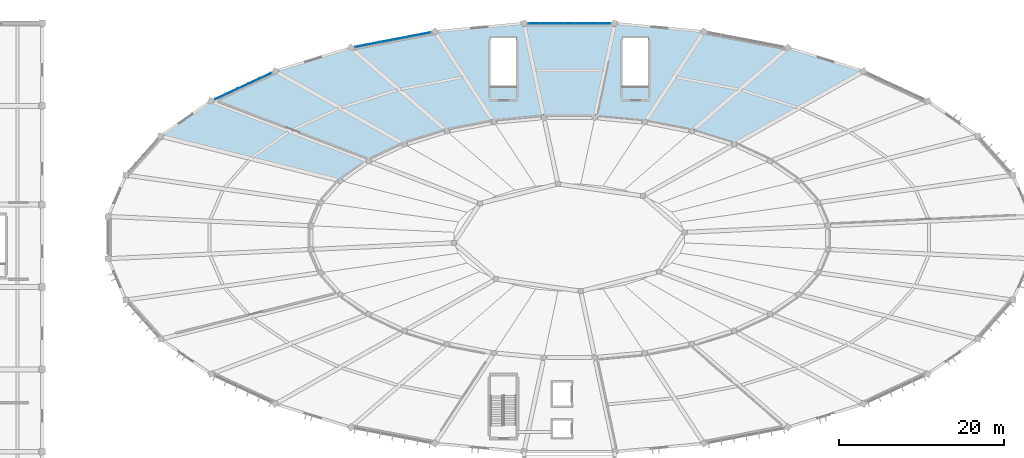
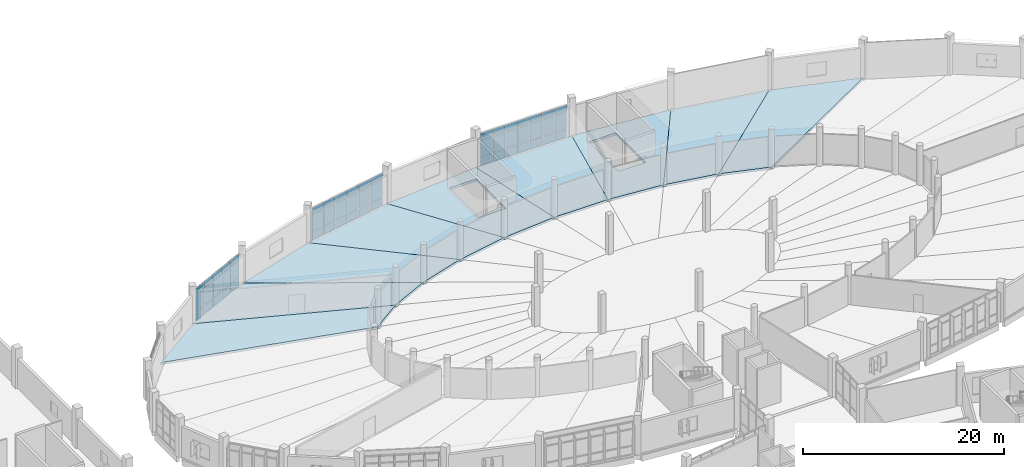
# One storey, part 108 of 179: 54 plates, 9 slabs, 3 elements without a shape of their own.
"""IFC4 building model written with IfcOpenShell, lengths in metres."""

from ifc_helpers import new_model, si_unit, direction, frame, origin, origin_2d, place, context, subcontext, project, spatial, polyline, rectangle, outline, extrude, material, layer, layer_set, type_object, element, aggregate, save


model = new_model("IFC4")

# Units and contexts
model_context = context("Model", 3, precision=1e-05, world=origin(), true_north=direction((0.0, 1.0)))
body_context = subcontext(model_context, "Body", "Model", "MODEL_VIEW")
ifc_project = project(units=[si_unit("LENGTHUNIT", "METRE"), si_unit("AREAUNIT", "SQUARE_METRE"), si_unit("VOLUMEUNIT", "CUBIC_METRE"), si_unit("PLANEANGLEUNIT", "RADIAN"), si_unit("MASSUNIT", "GRAM", prefix="KILO")], contexts=[model_context])

# Site, building, storey
site_placement = place(None, origin())
site = spatial("IfcSite", under=ifc_project, at=site_placement, CompositionType="ELEMENT")
building_placement = place(site_placement, origin())
building = spatial("IfcBuilding", under=site, at=building_placement, Name="Corvandel Quay Wholesale Market", CompositionType="ELEMENT")
storey_placement = place(building_placement, frame((0.0, 0.0, 6.0)))
storey = spatial("IfcBuildingStorey", under=building, at=storey_placement, Name="L01", CompositionType="ELEMENT", Elevation=6.0)

# Curtain wall, plates
ifc_material_1 = material(Name="Bronze anodised aluminium and low-E insulated glazing", Category="aluminium")
ifc_layer_1 = layer(ifc_material_1, 0.197998046875)
ifc_layer_set_1 = layer_set([ifc_layer_1], Name="Bronze anodised aluminium and low-E insulated glazing")
curtain_wall_type_1 = type_object("IfcCurtainWallType", Name="Stick Curtain Wall System CW14 H4260", PredefinedType="NOTDEFINED", material=ifc_layer_set_1)
curtain_wall_1_placement = place(storey_placement, origin())
curtain_wall_1 = element("IfcCurtainWall", 1, at=curtain_wall_1_placement, inside=storey, type_object=curtain_wall_type_1, Name="Curtain Wall CW-0097", PredefinedType="NOTDEFINED")
ifc_material_2 = material(Name="Solar-control low-E insulated glazing", Category="glass")
ifc_layer_2 = layer(ifc_material_2, 0.0400390625)
ifc_layer_set_2 = layer_set([ifc_layer_2], Name="Solar-control low-E insulated glazing")
plate_type_1 = type_object("IfcPlateType", Name="Ceramic Fritted Spandrel Panel PN03 40mm", PredefinedType="CURTAIN_PANEL", material=ifc_layer_set_2)
plate_1_placement = place(storey_placement, frame((118.26513671875, 142.0, 3.1298828125), z_axis=(0.0, 0.0, 1.0), x_axis=(1.0, 0.0, 0.0)))
plate_1 = element("IfcPlate", 2, at=plate_1_placement, type_object=plate_type_1, Name="Glazing Panel CW-0097-P00-2", PredefinedType="CURTAIN_PANEL", context=body_context, shape_type="SweptSolid", body=[
    extrude(rectangle(XDim=1.356689453125, YDim=0.0400390625, at=origin_2d()), origin(), (0.0, 0.0, 1.0), 0.7900390625),
])
plate_2_placement = place(storey_placement, frame((116.843505859375, 142.0, 3.1298828125), z_axis=(0.0, 0.0, 1.0), x_axis=(1.0, 0.0, 0.0)))
plate_2 = element("IfcPlate", 3, at=plate_2_placement, type_object=plate_type_1, Name="Glazing Panel CW-0097-P01-2", PredefinedType="CURTAIN_PANEL", context=body_context, shape_type="SweptSolid", body=[
    extrude(rectangle(XDim=1.356689453125, YDim=0.0400390625, at=origin_2d()), origin(), (0.0, 0.0, 1.0), 0.7900390625),
])
plate_3_placement = place(storey_placement, frame((115.421630859375, 142.0, 3.1298828125), z_axis=(0.0, 0.0, 1.0), x_axis=(1.0, 0.0, 0.0)))
plate_3 = element("IfcPlate", 4, at=plate_3_placement, type_object=plate_type_1, Name="Glazing Panel CW-0097-P02-2", PredefinedType="CURTAIN_PANEL", context=body_context, shape_type="SweptSolid", body=[
    extrude(rectangle(XDim=1.356689453125, YDim=0.0400390625, at=origin_2d()), origin(), (0.0, 0.0, 1.0), 0.7900390625),
])
plate_4_placement = place(storey_placement, frame((114.0, 142.0, 3.1298828125), z_axis=(0.0, 0.0, 1.0), x_axis=(1.0, 0.0, 0.0)))
plate_4 = element("IfcPlate", 5, at=plate_4_placement, type_object=plate_type_1, Name="Glazing Panel CW-0097-P03-2", PredefinedType="CURTAIN_PANEL", context=body_context, shape_type="SweptSolid", body=[
    extrude(rectangle(XDim=1.356689453125, YDim=0.0400390625, at=origin_2d()), origin(), (0.0, 0.0, 1.0), 0.7900390625),
])
plate_5_placement = place(storey_placement, frame((112.578369140625, 142.0, 3.1298828125), z_axis=(0.0, 0.0, 1.0), x_axis=(1.0, 0.0, 0.0)))
plate_5 = element("IfcPlate", 6, at=plate_5_placement, type_object=plate_type_1, Name="Glazing Panel CW-0097-P04-2", PredefinedType="CURTAIN_PANEL", context=body_context, shape_type="SweptSolid", body=[
    extrude(rectangle(XDim=1.356689453125, YDim=0.0400390625, at=origin_2d()), origin(), (0.0, 0.0, 1.0), 0.7900390625),
])
plate_6_placement = place(storey_placement, frame((111.156494140625, 142.0, 3.1298828125), z_axis=(0.0, 0.0, 1.0), x_axis=(1.0, 0.0, 0.0)))
plate_6 = element("IfcPlate", 7, at=plate_6_placement, type_object=plate_type_1, Name="Glazing Panel CW-0097-P05-2", PredefinedType="CURTAIN_PANEL", context=body_context, shape_type="SweptSolid", body=[
    extrude(rectangle(XDim=1.356689453125, YDim=0.0400390625, at=origin_2d()), origin(), (0.0, 0.0, 1.0), 0.7900390625),
])
plate_7_placement = place(storey_placement, frame((109.73486328125, 142.0, 3.1298828125), z_axis=(0.0, 0.0, 1.0), x_axis=(1.0, 0.0, 0.0)))
plate_7 = element("IfcPlate", 8, at=plate_7_placement, type_object=plate_type_1, Name="Glazing Panel CW-0097-P06-2", PredefinedType="CURTAIN_PANEL", context=body_context, shape_type="SweptSolid", body=[
    extrude(rectangle(XDim=1.356689453125, YDim=0.0400390625, at=origin_2d()), origin(), (0.0, 0.0, 1.0), 0.7900390625),
])

ifc_layer_3 = layer(ifc_material_1, 0.162109375)
ifc_layer_set_3 = layer_set([ifc_layer_3], Name="Bronze anodised aluminium and low-E insulated glazing")
curtain_wall_type_2 = type_object("IfcCurtainWallType", Name="Stick Curtain Wall System CW16 H4440", PredefinedType="NOTDEFINED", material=ifc_layer_set_3)
curtain_wall_2_placement = place(storey_placement, origin())
curtain_wall_2 = element("IfcCurtainWall", 9, at=curtain_wall_2_placement, inside=storey, type_object=curtain_wall_type_2, Name="Curtain Wall CW-0099", PredefinedType="NOTDEFINED")
plate_8_placement = place(storey_placement, frame((96.373779296875, 140.752685546875, 3.1298828125), z_axis=(0.0, 0.0, 1.0), x_axis=(0.981991701121, 0.188924055984, 0.0)))
plate_8 = element("IfcPlate", 10, at=plate_8_placement, type_object=plate_type_1, Name="Glazing Panel CW-0099-P00-2", PredefinedType="CURTAIN_PANEL", context=body_context, shape_type="SweptSolid", body=[
    extrude(rectangle(XDim=1.484619140625, YDim=0.0400390625, at=origin_2d()), origin(), (0.0, 0.0, 1.0), 0.7900390625),
])
plate_9_placement = place(storey_placement, frame((94.85205078125, 140.4599609375, 3.1298828125), z_axis=(0.0, 0.0, 1.0), x_axis=(0.981991701121, 0.188924055984, 0.0)))
plate_9 = element("IfcPlate", 11, at=plate_9_placement, type_object=plate_type_1, Name="Glazing Panel CW-0099-P01-2", PredefinedType="CURTAIN_PANEL", context=body_context, shape_type="SweptSolid", body=[
    extrude(rectangle(XDim=1.484619140625, YDim=0.0400390625, at=origin_2d()), origin(), (0.0, 0.0, 1.0), 0.7900390625),
])
plate_10_placement = place(storey_placement, frame((93.330322265625, 140.167236328125, 3.1298828125), z_axis=(0.0, 0.0, 1.0), x_axis=(0.981991701121, 0.188924055984, 0.0)))
plate_10 = element("IfcPlate", 12, at=plate_10_placement, type_object=plate_type_1, Name="Glazing Panel CW-0099-P02-2", PredefinedType="CURTAIN_PANEL", context=body_context, shape_type="SweptSolid", body=[
    extrude(rectangle(XDim=1.484619140625, YDim=0.0400390625, at=origin_2d()), origin(), (0.0, 0.0, 1.0), 0.7900390625),
])
plate_11_placement = place(storey_placement, frame((91.80859375, 139.874755859375, 3.1298828125), z_axis=(0.0, 0.0, 1.0), x_axis=(0.981991701121, 0.188924055984, 0.0)))
plate_11 = element("IfcPlate", 13, at=plate_11_placement, type_object=plate_type_1, Name="Glazing Panel CW-0099-P03-2", PredefinedType="CURTAIN_PANEL", context=body_context, shape_type="SweptSolid", body=[
    extrude(rectangle(XDim=1.484619140625, YDim=0.0400390625, at=origin_2d()), origin(), (0.0, 0.0, 1.0), 0.7900390625),
])
plate_12_placement = place(storey_placement, frame((90.286865234375, 139.58203125, 3.1298828125), z_axis=(0.0, 0.0, 1.0), x_axis=(0.981991701121, 0.188924055984, 0.0)))
plate_12 = element("IfcPlate", 14, at=plate_12_placement, type_object=plate_type_1, Name="Glazing Panel CW-0099-P04-2", PredefinedType="CURTAIN_PANEL", context=body_context, shape_type="SweptSolid", body=[
    extrude(rectangle(XDim=1.484619140625, YDim=0.0400390625, at=origin_2d()), origin(), (0.0, 0.0, 1.0), 0.7900390625),
])
plate_13_placement = place(storey_placement, frame((88.76513671875, 139.289306640625, 3.1298828125), z_axis=(0.0, 0.0, 1.0), x_axis=(0.981991701121, 0.188924055984, 0.0)))
plate_13 = element("IfcPlate", 15, at=plate_13_placement, type_object=plate_type_1, Name="Glazing Panel CW-0099-P05-2", PredefinedType="CURTAIN_PANEL", context=body_context, shape_type="SweptSolid", body=[
    extrude(rectangle(XDim=1.484619140625, YDim=0.0400390625, at=origin_2d()), origin(), (0.0, 0.0, 1.0), 0.7900390625),
])

ifc_layer_4 = layer(ifc_material_1, 0.18603515625)
ifc_layer_set_4 = layer_set([ifc_layer_4], Name="Bronze anodised aluminium and low-E insulated glazing")
curtain_wall_type_3 = type_object("IfcCurtainWallType", Name="Stick Curtain Wall System CW18 H4620", PredefinedType="NOTDEFINED", material=ifc_layer_set_4)
curtain_wall_3_placement = place(storey_placement, origin())
curtain_wall_3 = element("IfcCurtainWall", 16, at=curtain_wall_3_placement, inside=storey, type_object=curtain_wall_type_3, Name="Curtain Wall CW-0100", PredefinedType="NOTDEFINED")
plate_14_placement = place(storey_placement, frame((77.130126953125, 135.65185546875, 3.1298828125), z_axis=(0.0, 0.0, 1.0), x_axis=(0.906970515865, 0.421194115999, 0.0)))
plate_14 = element("IfcPlate", 17, at=plate_14_placement, type_object=plate_type_1, Name="Glazing Panel CW-0100-P00-2", PredefinedType="CURTAIN_PANEL", context=body_context, shape_type="SweptSolid", body=[
    extrude(rectangle(XDim=1.43896484375, YDim=0.0400390625, at=origin_2d()), origin(), (0.0, 0.0, 1.0), 0.7900390625),
])
plate_15_placement = place(storey_placement, frame((75.76611328125, 135.018310546875, 3.1298828125), z_axis=(0.0, 0.0, 1.0), x_axis=(0.906970515865, 0.421194115999, 0.0)))
plate_15 = element("IfcPlate", 18, at=plate_15_placement, type_object=plate_type_1, Name="Glazing Panel CW-0100-P01-2", PredefinedType="CURTAIN_PANEL", context=body_context, shape_type="SweptSolid", body=[
    extrude(rectangle(XDim=1.43896484375, YDim=0.0400390625, at=origin_2d()), origin(), (0.0, 0.0, 1.0), 0.7900390625),
])
plate_16_placement = place(storey_placement, frame((74.402099609375, 134.385009765625, 3.1298828125), z_axis=(0.0, 0.0, 1.0), x_axis=(0.906970515865, 0.421194115999, 0.0)))
plate_16 = element("IfcPlate", 19, at=plate_16_placement, type_object=plate_type_1, Name="Glazing Panel CW-0100-P02-2", PredefinedType="CURTAIN_PANEL", context=body_context, shape_type="SweptSolid", body=[
    extrude(rectangle(XDim=1.43896484375, YDim=0.0400390625, at=origin_2d()), origin(), (0.0, 0.0, 1.0), 0.7900390625),
])
plate_17_placement = place(storey_placement, frame((73.037841796875, 133.751708984375, 3.1298828125), z_axis=(0.0, 0.0, 1.0), x_axis=(0.906970515865, 0.421194115999, 0.0)))
plate_17 = element("IfcPlate", 20, at=plate_17_placement, type_object=plate_type_1, Name="Glazing Panel CW-0100-P03-2", PredefinedType="CURTAIN_PANEL", context=body_context, shape_type="SweptSolid", body=[
    extrude(rectangle(XDim=1.43896484375, YDim=0.0400390625, at=origin_2d()), origin(), (0.0, 0.0, 1.0), 0.7900390625),
])
plate_18_placement = place(storey_placement, frame((71.673828125, 133.1181640625, 3.1298828125), z_axis=(0.0, 0.0, 1.0), x_axis=(0.906970515865, 0.421194115999, 0.0)))
plate_18 = element("IfcPlate", 21, at=plate_18_placement, type_object=plate_type_1, Name="Glazing Panel CW-0100-P04-2", PredefinedType="CURTAIN_PANEL", context=body_context, shape_type="SweptSolid", body=[
    extrude(rectangle(XDim=1.43896484375, YDim=0.0400390625, at=origin_2d()), origin(), (0.0, 0.0, 1.0), 0.7900390625),
])

# Slabs
ifc_material_3 = material(Name="Concrete C40/50", Category="concrete")
ifc_layer_5 = layer(ifc_material_3, 0.280029296875)
ifc_layer_set_5 = layer_set([ifc_layer_5], Name="Concrete C40/50")
slab_type = type_object("IfcSlabType", Name="Composite Sorting Gallery Floor Slab 280", PredefinedType="FLOOR", material=ifc_layer_set_5)
slab_1_placement = place(storey_placement, frame((0.0, 0.0, -0.280029296875)))
element("IfcSlab", 22, at=slab_1_placement, inside=storey, type_object=slab_type, Name="Slab SLB-0228", PredefinedType="FLOOR", context=body_context, shape_type="SweptSolid", body=[
    extrude(outline(polyline([(133.990966796875, 127.30908203125), (128.85498046875, 128.903076171875), (140.52587890625, 139.041015625), (149.697998046875, 136.196044921875), (133.990966796875, 127.30908203125)])), origin(), (0.0, 0.0, 1.0), 0.280029296875),
])
slab_2_placement = place(storey_placement, frame((0.0, 0.0, -0.280029296875)))
element("IfcSlab", 23, at=slab_2_placement, inside=storey, type_object=slab_type, Name="Slab SLB-0232", PredefinedType="FLOOR", context=body_context, shape_type="SweptSolid", body=[
    extrude(outline(polyline([(128.85498046875, 128.903076171875), (123.14697265625, 130.0), (130.3349609375, 141.0009765625), (140.52587890625, 139.041015625), (128.85498046875, 128.903076171875)])), origin(), (0.0, 0.0, 1.0), 0.280029296875),
])
slab_3_placement = place(storey_placement, frame((0.0, 0.0, -0.280029296875)))
element("IfcSlab", 24, at=slab_3_placement, inside=storey, type_object=slab_type, Name="Slab SLB-0236", PredefinedType="FLOOR", context=body_context, shape_type="SweptSolid", body=[
    extrude(outline(polyline([(123.14697265625, 130.0), (117.089111328125, 130.56005859375), (119.51611328125, 142.0), (130.3349609375, 141.0009765625), (123.14697265625, 130.0)]), holes=[polyline([(120.449951171875, 134.300048828125), (123.550048828125, 134.300048828125), (123.550048828125, 140.199951171875), (120.449951171875, 140.199951171875), (120.449951171875, 134.300048828125)])]), origin(), (0.0, 0.0, 1.0), 0.280029296875),
])
slab_4_placement = place(storey_placement, frame((0.0, 0.0, -0.280029296875)))
element("IfcSlab", 25, at=slab_4_placement, inside=storey, type_object=slab_type, Name="Slab SLB-0242", PredefinedType="FLOOR", context=body_context, shape_type="SweptSolid", body=[
    extrude(outline(polyline([(117.089111328125, 130.56005859375), (110.910888671875, 130.56005859375), (108.48388671875, 142.0), (119.51611328125, 142.0), (117.089111328125, 130.56005859375)])), origin(), (0.0, 0.0, 1.0), 0.280029296875),
])
slab_5_placement = place(storey_placement, frame((0.0, 0.0, -0.280029296875)))
element("IfcSlab", 26, at=slab_5_placement, inside=storey, type_object=slab_type, Name="Slab SLB-0248", PredefinedType="FLOOR", context=body_context, shape_type="SweptSolid", body=[
    extrude(outline(polyline([(110.910888671875, 130.56005859375), (104.85302734375, 130.0), (97.6650390625, 141.0009765625), (108.48388671875, 142.0), (110.910888671875, 130.56005859375)]), holes=[polyline([(107.550048828125, 134.300048828125), (107.550048828125, 140.199951171875), (104.449951171875, 140.199951171875), (104.449951171875, 134.300048828125), (107.550048828125, 134.300048828125)])]), origin(), (0.0, 0.0, 1.0), 0.280029296875),
])
slab_6_placement = place(storey_placement, frame((0.0, 0.0, -0.280029296875)))
element("IfcSlab", 27, at=slab_6_placement, inside=storey, type_object=slab_type, Name="Slab SLB-0254", PredefinedType="FLOOR", context=body_context, shape_type="SweptSolid", body=[
    extrude(outline(polyline([(104.85302734375, 130.0), (99.14501953125, 128.903076171875), (87.47412109375, 139.041015625), (97.6650390625, 141.0009765625), (104.85302734375, 130.0)])), origin(), (0.0, 0.0, 1.0), 0.280029296875),
])
slab_7_placement = place(storey_placement, frame((0.0, 0.0, -0.280029296875)))
element("IfcSlab", 28, at=slab_7_placement, inside=storey, type_object=slab_type, Name="Slab SLB-0260", PredefinedType="FLOOR", context=body_context, shape_type="SweptSolid", body=[
    extrude(outline(polyline([(99.14501953125, 128.903076171875), (94.009033203125, 127.30908203125), (78.302001953125, 136.196044921875), (87.47412109375, 139.041015625), (99.14501953125, 128.903076171875)])), origin(), (0.0, 0.0, 1.0), 0.280029296875),
])
slab_8_placement = place(storey_placement, frame((0.0, 0.0, -0.280029296875)))
element("IfcSlab", 29, at=slab_8_placement, inside=storey, type_object=slab_type, Name="Slab SLB-0266", PredefinedType="FLOOR", context=body_context, shape_type="SweptSolid", body=[
    extrude(outline(polyline([(94.009033203125, 127.30908203125), (89.64111328125, 125.281005859375), (70.501953125, 132.573974609375), (78.302001953125, 136.196044921875), (94.009033203125, 127.30908203125)])), origin(), (0.0, 0.0, 1.0), 0.280029296875),
])
slab_9_placement = place(storey_placement, frame((0.0, 0.0, -0.280029296875)))
element("IfcSlab", 30, at=slab_9_placement, inside=storey, type_object=slab_type, Name="Slab SLB-0272", PredefinedType="FLOOR", context=body_context, shape_type="SweptSolid", body=[
    extrude(outline(polyline([(89.64111328125, 125.281005859375), (86.208984375, 122.89697265625), (64.373046875, 128.31591796875), (70.501953125, 132.573974609375), (89.64111328125, 125.281005859375)])), origin(), (0.0, 0.0, 1.0), 0.280029296875),
])

# Plate
ifc_layer_6 = layer(ifc_material_2, 0.028076171875)
ifc_layer_set_6 = layer_set([ifc_layer_6], Name="Solar-control low-E insulated glazing")
plate_type_2 = type_object("IfcPlateType", Name="Double Low-E Vision Panel PN01 28mm", PredefinedType="CURTAIN_PANEL", material=ifc_layer_set_6)
plate_19_placement = place(storey_placement, frame((118.26513671875, 142.0, 0.02978515625), z_axis=(0.0, 0.0, 1.0), x_axis=(1.0, 0.0, 0.0)))
plate_19 = element("IfcPlate", 31, at=plate_19_placement, type_object=plate_type_2, Name="Glazing Panel CW-0097-P00-0", PredefinedType="CURTAIN_PANEL", context=body_context, shape_type="SweptSolid", body=[
    extrude(rectangle(XDim=1.356689453125, YDim=0.028076171875, at=origin_2d()), origin(), (0.0, 0.0, 1.0), 0.989990234375),
])

plate_20_placement = place(storey_placement, frame((118.26513671875, 142.0, 1.080078125), z_axis=(0.0, 0.0, 1.0), x_axis=(1.0, 0.0, 0.0)))
plate_20 = element("IfcPlate", 32, at=plate_20_placement, type_object=plate_type_2, Name="Glazing Panel CW-0097-P00-1", PredefinedType="CURTAIN_PANEL", context=body_context, shape_type="SweptSolid", body=[
    extrude(rectangle(XDim=1.356689453125, YDim=0.028076171875, at=origin_2d()), origin(), (0.0, 0.0, 1.0), 1.989990234375),
])

plate_21_placement = place(storey_placement, frame((116.843505859375, 142.0, 0.02978515625), z_axis=(0.0, 0.0, 1.0), x_axis=(1.0, 0.0, 0.0)))
plate_21 = element("IfcPlate", 33, at=plate_21_placement, type_object=plate_type_2, Name="Glazing Panel CW-0097-P01-0", PredefinedType="CURTAIN_PANEL", context=body_context, shape_type="SweptSolid", body=[
    extrude(rectangle(XDim=1.356689453125, YDim=0.028076171875, at=origin_2d()), origin(), (0.0, 0.0, 1.0), 0.989990234375),
])

plate_22_placement = place(storey_placement, frame((116.843505859375, 142.0, 1.080078125), z_axis=(0.0, 0.0, 1.0), x_axis=(1.0, 0.0, 0.0)))
plate_22 = element("IfcPlate", 34, at=plate_22_placement, type_object=plate_type_2, Name="Glazing Panel CW-0097-P01-1", PredefinedType="CURTAIN_PANEL", context=body_context, shape_type="SweptSolid", body=[
    extrude(rectangle(XDim=1.356689453125, YDim=0.028076171875, at=origin_2d()), origin(), (0.0, 0.0, 1.0), 1.989990234375),
])

plate_23_placement = place(storey_placement, frame((115.421630859375, 142.0, 0.02978515625), z_axis=(0.0, 0.0, 1.0), x_axis=(1.0, 0.0, 0.0)))
plate_23 = element("IfcPlate", 35, at=plate_23_placement, type_object=plate_type_2, Name="Glazing Panel CW-0097-P02-0", PredefinedType="CURTAIN_PANEL", context=body_context, shape_type="SweptSolid", body=[
    extrude(rectangle(XDim=1.356689453125, YDim=0.028076171875, at=origin_2d()), origin(), (0.0, 0.0, 1.0), 0.989990234375),
])

plate_24_placement = place(storey_placement, frame((115.421630859375, 142.0, 1.080078125), z_axis=(0.0, 0.0, 1.0), x_axis=(1.0, 0.0, 0.0)))
plate_24 = element("IfcPlate", 36, at=plate_24_placement, type_object=plate_type_2, Name="Glazing Panel CW-0097-P02-1", PredefinedType="CURTAIN_PANEL", context=body_context, shape_type="SweptSolid", body=[
    extrude(rectangle(XDim=1.356689453125, YDim=0.028076171875, at=origin_2d()), origin(), (0.0, 0.0, 1.0), 1.989990234375),
])

plate_25_placement = place(storey_placement, frame((114.0, 142.0, 0.02978515625), z_axis=(0.0, 0.0, 1.0), x_axis=(1.0, 0.0, 0.0)))
plate_25 = element("IfcPlate", 37, at=plate_25_placement, type_object=plate_type_2, Name="Glazing Panel CW-0097-P03-0", PredefinedType="CURTAIN_PANEL", context=body_context, shape_type="SweptSolid", body=[
    extrude(rectangle(XDim=1.356689453125, YDim=0.028076171875, at=origin_2d()), origin(), (0.0, 0.0, 1.0), 0.989990234375),
])

plate_26_placement = place(storey_placement, frame((114.0, 142.0, 1.080078125), z_axis=(0.0, 0.0, 1.0), x_axis=(1.0, 0.0, 0.0)))
plate_26 = element("IfcPlate", 38, at=plate_26_placement, type_object=plate_type_2, Name="Glazing Panel CW-0097-P03-1", PredefinedType="CURTAIN_PANEL", context=body_context, shape_type="SweptSolid", body=[
    extrude(rectangle(XDim=1.356689453125, YDim=0.028076171875, at=origin_2d()), origin(), (0.0, 0.0, 1.0), 1.989990234375),
])

plate_27_placement = place(storey_placement, frame((112.578369140625, 142.0, 0.02978515625), z_axis=(0.0, 0.0, 1.0), x_axis=(1.0, 0.0, 0.0)))
plate_27 = element("IfcPlate", 39, at=plate_27_placement, type_object=plate_type_2, Name="Glazing Panel CW-0097-P04-0", PredefinedType="CURTAIN_PANEL", context=body_context, shape_type="SweptSolid", body=[
    extrude(rectangle(XDim=1.356689453125, YDim=0.028076171875, at=origin_2d()), origin(), (0.0, 0.0, 1.0), 0.989990234375),
])

plate_28_placement = place(storey_placement, frame((112.578369140625, 142.0, 1.080078125), z_axis=(0.0, 0.0, 1.0), x_axis=(1.0, 0.0, 0.0)))
plate_28 = element("IfcPlate", 40, at=plate_28_placement, type_object=plate_type_2, Name="Glazing Panel CW-0097-P04-1", PredefinedType="CURTAIN_PANEL", context=body_context, shape_type="SweptSolid", body=[
    extrude(rectangle(XDim=1.356689453125, YDim=0.028076171875, at=origin_2d()), origin(), (0.0, 0.0, 1.0), 1.989990234375),
])

plate_29_placement = place(storey_placement, frame((111.156494140625, 142.0, 0.02978515625), z_axis=(0.0, 0.0, 1.0), x_axis=(1.0, 0.0, 0.0)))
plate_29 = element("IfcPlate", 41, at=plate_29_placement, type_object=plate_type_2, Name="Glazing Panel CW-0097-P05-0", PredefinedType="CURTAIN_PANEL", context=body_context, shape_type="SweptSolid", body=[
    extrude(rectangle(XDim=1.356689453125, YDim=0.028076171875, at=origin_2d()), origin(), (0.0, 0.0, 1.0), 0.989990234375),
])

plate_30_placement = place(storey_placement, frame((111.156494140625, 142.0, 1.080078125), z_axis=(0.0, 0.0, 1.0), x_axis=(1.0, 0.0, 0.0)))
plate_30 = element("IfcPlate", 42, at=plate_30_placement, type_object=plate_type_2, Name="Glazing Panel CW-0097-P05-1", PredefinedType="CURTAIN_PANEL", context=body_context, shape_type="SweptSolid", body=[
    extrude(rectangle(XDim=1.356689453125, YDim=0.028076171875, at=origin_2d()), origin(), (0.0, 0.0, 1.0), 1.989990234375),
])

plate_31_placement = place(storey_placement, frame((109.73486328125, 142.0, 0.02978515625), z_axis=(0.0, 0.0, 1.0), x_axis=(1.0, 0.0, 0.0)))
plate_31 = element("IfcPlate", 43, at=plate_31_placement, type_object=plate_type_2, Name="Glazing Panel CW-0097-P06-0", PredefinedType="CURTAIN_PANEL", context=body_context, shape_type="SweptSolid", body=[
    extrude(rectangle(XDim=1.356689453125, YDim=0.028076171875, at=origin_2d()), origin(), (0.0, 0.0, 1.0), 0.989990234375),
])

plate_32_placement = place(storey_placement, frame((109.73486328125, 142.0, 1.080078125), z_axis=(0.0, 0.0, 1.0), x_axis=(1.0, 0.0, 0.0)))
plate_32 = element("IfcPlate", 44, at=plate_32_placement, type_object=plate_type_2, Name="Glazing Panel CW-0097-P06-1", PredefinedType="CURTAIN_PANEL", context=body_context, shape_type="SweptSolid", body=[
    extrude(rectangle(XDim=1.356689453125, YDim=0.028076171875, at=origin_2d()), origin(), (0.0, 0.0, 1.0), 1.989990234375),
])

aggregate(curtain_wall_1, [plate_19, plate_20, plate_1, plate_21, plate_22, plate_2, plate_23, plate_24, plate_3, plate_25, plate_26, plate_4, plate_27, plate_28, plate_5, plate_29, plate_30, plate_6, plate_31, plate_32, plate_7])

plate_33_placement = place(storey_placement, frame((96.373779296875, 140.752685546875, 0.02978515625), z_axis=(0.0, 0.0, 1.0), x_axis=(0.981991701121, 0.188924055984, 0.0)))
plate_33 = element("IfcPlate", 45, at=plate_33_placement, type_object=plate_type_2, Name="Glazing Panel CW-0099-P00-0", PredefinedType="CURTAIN_PANEL", context=body_context, shape_type="SweptSolid", body=[
    extrude(rectangle(XDim=1.484619140625, YDim=0.028076171875, at=origin_2d()), origin(), (0.0, 0.0, 1.0), 0.989990234375),
])

plate_34_placement = place(storey_placement, frame((96.373779296875, 140.752685546875, 1.080078125), z_axis=(0.0, 0.0, 1.0), x_axis=(0.981991701121, 0.188924055984, 0.0)))
plate_34 = element("IfcPlate", 46, at=plate_34_placement, type_object=plate_type_2, Name="Glazing Panel CW-0099-P00-1", PredefinedType="CURTAIN_PANEL", context=body_context, shape_type="SweptSolid", body=[
    extrude(rectangle(XDim=1.484619140625, YDim=0.028076171875, at=origin_2d()), origin(), (0.0, 0.0, 1.0), 1.989990234375),
])

plate_35_placement = place(storey_placement, frame((94.85205078125, 140.4599609375, 0.02978515625), z_axis=(0.0, 0.0, 1.0), x_axis=(0.981991701121, 0.188924055984, 0.0)))
plate_35 = element("IfcPlate", 47, at=plate_35_placement, type_object=plate_type_2, Name="Glazing Panel CW-0099-P01-0", PredefinedType="CURTAIN_PANEL", context=body_context, shape_type="SweptSolid", body=[
    extrude(rectangle(XDim=1.484619140625, YDim=0.028076171875, at=origin_2d()), origin(), (0.0, 0.0, 1.0), 0.989990234375),
])

plate_36_placement = place(storey_placement, frame((94.85205078125, 140.4599609375, 1.080078125), z_axis=(0.0, 0.0, 1.0), x_axis=(0.981991701121, 0.188924055984, 0.0)))
plate_36 = element("IfcPlate", 48, at=plate_36_placement, type_object=plate_type_2, Name="Glazing Panel CW-0099-P01-1", PredefinedType="CURTAIN_PANEL", context=body_context, shape_type="SweptSolid", body=[
    extrude(rectangle(XDim=1.484619140625, YDim=0.028076171875, at=origin_2d()), origin(), (0.0, 0.0, 1.0), 1.989990234375),
])

plate_37_placement = place(storey_placement, frame((93.330322265625, 140.167236328125, 0.02978515625), z_axis=(0.0, 0.0, 1.0), x_axis=(0.981991701121, 0.188924055984, 0.0)))
plate_37 = element("IfcPlate", 49, at=plate_37_placement, type_object=plate_type_2, Name="Glazing Panel CW-0099-P02-0", PredefinedType="CURTAIN_PANEL", context=body_context, shape_type="SweptSolid", body=[
    extrude(rectangle(XDim=1.484619140625, YDim=0.028076171875, at=origin_2d()), origin(), (0.0, 0.0, 1.0), 0.989990234375),
])

plate_38_placement = place(storey_placement, frame((93.330322265625, 140.167236328125, 1.080078125), z_axis=(0.0, 0.0, 1.0), x_axis=(0.981991701121, 0.188924055984, 0.0)))
plate_38 = element("IfcPlate", 50, at=plate_38_placement, type_object=plate_type_2, Name="Glazing Panel CW-0099-P02-1", PredefinedType="CURTAIN_PANEL", context=body_context, shape_type="SweptSolid", body=[
    extrude(rectangle(XDim=1.484619140625, YDim=0.028076171875, at=origin_2d()), origin(), (0.0, 0.0, 1.0), 1.989990234375),
])

plate_39_placement = place(storey_placement, frame((91.80859375, 139.874755859375, 0.02978515625), z_axis=(0.0, 0.0, 1.0), x_axis=(0.981991701121, 0.188924055984, 0.0)))
plate_39 = element("IfcPlate", 51, at=plate_39_placement, type_object=plate_type_2, Name="Glazing Panel CW-0099-P03-0", PredefinedType="CURTAIN_PANEL", context=body_context, shape_type="SweptSolid", body=[
    extrude(rectangle(XDim=1.484619140625, YDim=0.028076171875, at=origin_2d()), origin(), (0.0, 0.0, 1.0), 0.989990234375),
])

plate_40_placement = place(storey_placement, frame((91.80859375, 139.874755859375, 1.080078125), z_axis=(0.0, 0.0, 1.0), x_axis=(0.981991701121, 0.188924055984, 0.0)))
plate_40 = element("IfcPlate", 52, at=plate_40_placement, type_object=plate_type_2, Name="Glazing Panel CW-0099-P03-1", PredefinedType="CURTAIN_PANEL", context=body_context, shape_type="SweptSolid", body=[
    extrude(rectangle(XDim=1.484619140625, YDim=0.028076171875, at=origin_2d()), origin(), (0.0, 0.0, 1.0), 1.989990234375),
])

plate_41_placement = place(storey_placement, frame((90.286865234375, 139.58203125, 0.02978515625), z_axis=(0.0, 0.0, 1.0), x_axis=(0.981991701121, 0.188924055984, 0.0)))
plate_41 = element("IfcPlate", 53, at=plate_41_placement, type_object=plate_type_2, Name="Glazing Panel CW-0099-P04-0", PredefinedType="CURTAIN_PANEL", context=body_context, shape_type="SweptSolid", body=[
    extrude(rectangle(XDim=1.484619140625, YDim=0.028076171875, at=origin_2d()), origin(), (0.0, 0.0, 1.0), 0.989990234375),
])

plate_42_placement = place(storey_placement, frame((90.286865234375, 139.58203125, 1.080078125), z_axis=(0.0, 0.0, 1.0), x_axis=(0.981991701121, 0.188924055984, 0.0)))
plate_42 = element("IfcPlate", 54, at=plate_42_placement, type_object=plate_type_2, Name="Glazing Panel CW-0099-P04-1", PredefinedType="CURTAIN_PANEL", context=body_context, shape_type="SweptSolid", body=[
    extrude(rectangle(XDim=1.484619140625, YDim=0.028076171875, at=origin_2d()), origin(), (0.0, 0.0, 1.0), 1.989990234375),
])

plate_43_placement = place(storey_placement, frame((88.76513671875, 139.289306640625, 0.02978515625), z_axis=(0.0, 0.0, 1.0), x_axis=(0.981991701121, 0.188924055984, 0.0)))
plate_43 = element("IfcPlate", 55, at=plate_43_placement, type_object=plate_type_2, Name="Glazing Panel CW-0099-P05-0", PredefinedType="CURTAIN_PANEL", context=body_context, shape_type="SweptSolid", body=[
    extrude(rectangle(XDim=1.484619140625, YDim=0.028076171875, at=origin_2d()), origin(), (0.0, 0.0, 1.0), 0.989990234375),
])

plate_44_placement = place(storey_placement, frame((88.76513671875, 139.289306640625, 1.080078125), z_axis=(0.0, 0.0, 1.0), x_axis=(0.981991701121, 0.188924055984, 0.0)))
plate_44 = element("IfcPlate", 56, at=plate_44_placement, type_object=plate_type_2, Name="Glazing Panel CW-0099-P05-1", PredefinedType="CURTAIN_PANEL", context=body_context, shape_type="SweptSolid", body=[
    extrude(rectangle(XDim=1.484619140625, YDim=0.028076171875, at=origin_2d()), origin(), (0.0, 0.0, 1.0), 1.989990234375),
])

aggregate(curtain_wall_2, [plate_33, plate_34, plate_8, plate_35, plate_36, plate_9, plate_37, plate_38, plate_10, plate_39, plate_40, plate_11, plate_41, plate_42, plate_12, plate_43, plate_44, plate_13])

plate_45_placement = place(storey_placement, frame((77.130126953125, 135.65185546875, 0.02978515625), z_axis=(0.0, 0.0, 1.0), x_axis=(0.906970515865, 0.421194115999, 0.0)))
plate_45 = element("IfcPlate", 57, at=plate_45_placement, type_object=plate_type_2, Name="Glazing Panel CW-0100-P00-0", PredefinedType="CURTAIN_PANEL", context=body_context, shape_type="SweptSolid", body=[
    extrude(rectangle(XDim=1.43896484375, YDim=0.028076171875, at=origin_2d()), origin(), (0.0, 0.0, 1.0), 0.989990234375),
])

plate_46_placement = place(storey_placement, frame((77.130126953125, 135.65185546875, 1.080078125), z_axis=(0.0, 0.0, 1.0), x_axis=(0.906970515865, 0.421194115999, 0.0)))
plate_46 = element("IfcPlate", 58, at=plate_46_placement, type_object=plate_type_2, Name="Glazing Panel CW-0100-P00-1", PredefinedType="CURTAIN_PANEL", context=body_context, shape_type="SweptSolid", body=[
    extrude(rectangle(XDim=1.43896484375, YDim=0.028076171875, at=origin_2d()), origin(), (0.0, 0.0, 1.0), 1.989990234375),
])

plate_47_placement = place(storey_placement, frame((75.76611328125, 135.018310546875, 0.02978515625), z_axis=(0.0, 0.0, 1.0), x_axis=(0.906970515865, 0.421194115999, 0.0)))
plate_47 = element("IfcPlate", 59, at=plate_47_placement, type_object=plate_type_2, Name="Glazing Panel CW-0100-P01-0", PredefinedType="CURTAIN_PANEL", context=body_context, shape_type="SweptSolid", body=[
    extrude(rectangle(XDim=1.43896484375, YDim=0.028076171875, at=origin_2d()), origin(), (0.0, 0.0, 1.0), 0.989990234375),
])

plate_48_placement = place(storey_placement, frame((75.76611328125, 135.018310546875, 1.080078125), z_axis=(0.0, 0.0, 1.0), x_axis=(0.906970515865, 0.421194115999, 0.0)))
plate_48 = element("IfcPlate", 60, at=plate_48_placement, type_object=plate_type_2, Name="Glazing Panel CW-0100-P01-1", PredefinedType="CURTAIN_PANEL", context=body_context, shape_type="SweptSolid", body=[
    extrude(rectangle(XDim=1.43896484375, YDim=0.028076171875, at=origin_2d()), origin(), (0.0, 0.0, 1.0), 1.989990234375),
])

plate_49_placement = place(storey_placement, frame((74.402099609375, 134.385009765625, 0.02978515625), z_axis=(0.0, 0.0, 1.0), x_axis=(0.906970515865, 0.421194115999, 0.0)))
plate_49 = element("IfcPlate", 61, at=plate_49_placement, type_object=plate_type_2, Name="Glazing Panel CW-0100-P02-0", PredefinedType="CURTAIN_PANEL", context=body_context, shape_type="SweptSolid", body=[
    extrude(rectangle(XDim=1.43896484375, YDim=0.028076171875, at=origin_2d()), origin(), (0.0, 0.0, 1.0), 0.989990234375),
])

plate_50_placement = place(storey_placement, frame((74.402099609375, 134.385009765625, 1.080078125), z_axis=(0.0, 0.0, 1.0), x_axis=(0.906970515865, 0.421194115999, 0.0)))
plate_50 = element("IfcPlate", 62, at=plate_50_placement, type_object=plate_type_2, Name="Glazing Panel CW-0100-P02-1", PredefinedType="CURTAIN_PANEL", context=body_context, shape_type="SweptSolid", body=[
    extrude(rectangle(XDim=1.43896484375, YDim=0.028076171875, at=origin_2d()), origin(), (0.0, 0.0, 1.0), 1.989990234375),
])

plate_51_placement = place(storey_placement, frame((73.037841796875, 133.751708984375, 0.02978515625), z_axis=(0.0, 0.0, 1.0), x_axis=(0.906970515865, 0.421194115999, 0.0)))
plate_51 = element("IfcPlate", 63, at=plate_51_placement, type_object=plate_type_2, Name="Glazing Panel CW-0100-P03-0", PredefinedType="CURTAIN_PANEL", context=body_context, shape_type="SweptSolid", body=[
    extrude(rectangle(XDim=1.43896484375, YDim=0.028076171875, at=origin_2d()), origin(), (0.0, 0.0, 1.0), 0.989990234375),
])

plate_52_placement = place(storey_placement, frame((73.037841796875, 133.751708984375, 1.080078125), z_axis=(0.0, 0.0, 1.0), x_axis=(0.906970515865, 0.421194115999, 0.0)))
plate_52 = element("IfcPlate", 64, at=plate_52_placement, type_object=plate_type_2, Name="Glazing Panel CW-0100-P03-1", PredefinedType="CURTAIN_PANEL", context=body_context, shape_type="SweptSolid", body=[
    extrude(rectangle(XDim=1.43896484375, YDim=0.028076171875, at=origin_2d()), origin(), (0.0, 0.0, 1.0), 1.989990234375),
])

plate_53_placement = place(storey_placement, frame((71.673828125, 133.1181640625, 0.02978515625), z_axis=(0.0, 0.0, 1.0), x_axis=(0.906970515865, 0.421194115999, 0.0)))
plate_53 = element("IfcPlate", 65, at=plate_53_placement, type_object=plate_type_2, Name="Glazing Panel CW-0100-P04-0", PredefinedType="CURTAIN_PANEL", context=body_context, shape_type="SweptSolid", body=[
    extrude(rectangle(XDim=1.43896484375, YDim=0.028076171875, at=origin_2d()), origin(), (0.0, 0.0, 1.0), 0.989990234375),
])

plate_54_placement = place(storey_placement, frame((71.673828125, 133.1181640625, 1.080078125), z_axis=(0.0, 0.0, 1.0), x_axis=(0.906970515865, 0.421194115999, 0.0)))
plate_54 = element("IfcPlate", 66, at=plate_54_placement, type_object=plate_type_2, Name="Glazing Panel CW-0100-P04-1", PredefinedType="CURTAIN_PANEL", context=body_context, shape_type="SweptSolid", body=[
    extrude(rectangle(XDim=1.43896484375, YDim=0.028076171875, at=origin_2d()), origin(), (0.0, 0.0, 1.0), 1.989990234375),
])

aggregate(curtain_wall_3, [plate_45, plate_46, plate_14, plate_47, plate_48, plate_15, plate_49, plate_50, plate_16, plate_51, plate_52, plate_17, plate_53, plate_54, plate_18])

save(model, "model.ifc")
